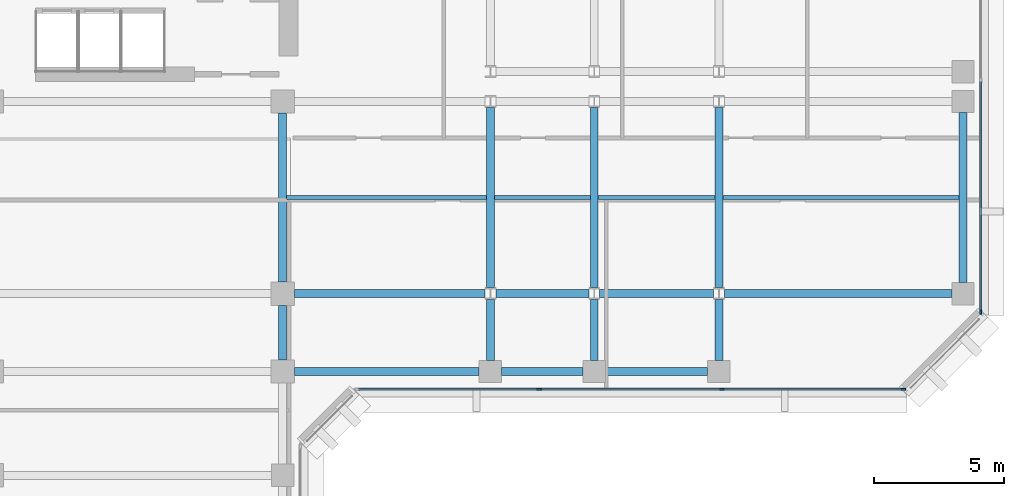
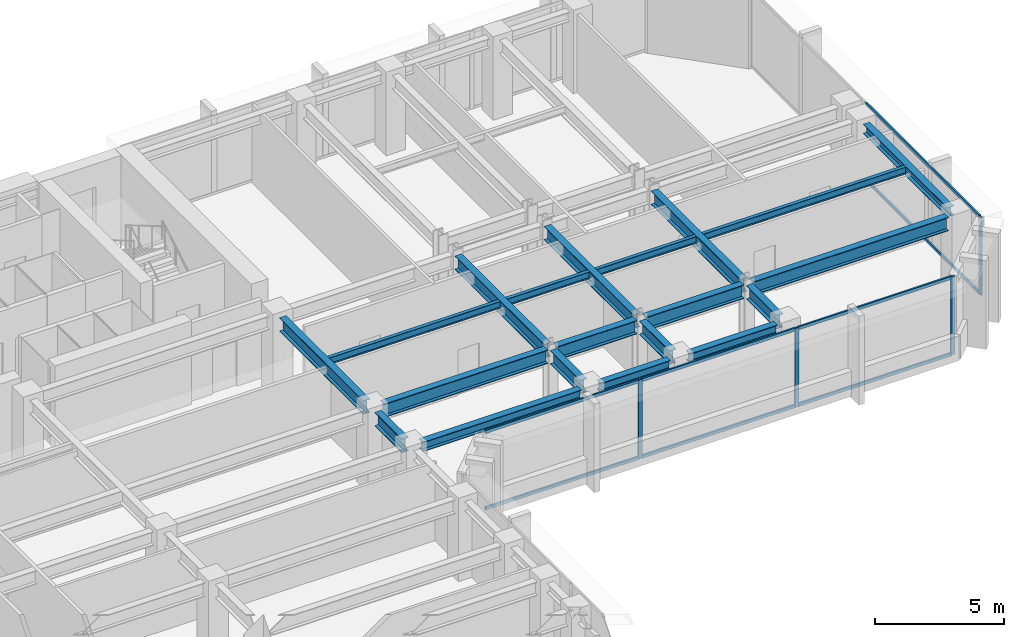
# One storey, part 3 of 11: 20 beams, 12 members, 2 elements without a shape of their own.
"""IFC4 building model written with IfcOpenShell, lengths in metres."""

from ifc_helpers import new_model, si_unit, direction, frame, origin, origin_2d, place, context, subcontext, project, spatial, rectangle, i_section, extrude, material, layer, layer_set, material_profile, profile_set, type_object, element, aggregate, save


model = new_model("IFC4")

# Units and contexts
model_context = context("Model", 3, precision=1e-05, world=origin(), true_north=direction((0.0, 1.0)))
body_context = subcontext(model_context, "Body", "Model", "MODEL_VIEW")
ifc_project = project(units=[si_unit("LENGTHUNIT", "METRE"), si_unit("AREAUNIT", "SQUARE_METRE"), si_unit("VOLUMEUNIT", "CUBIC_METRE"), si_unit("PLANEANGLEUNIT", "RADIAN"), si_unit("MASSUNIT", "GRAM", prefix="KILO")], contexts=[model_context])

# Site, building, storey
site_placement = place(None, origin())
site = spatial("IfcSite", under=ifc_project, at=site_placement, CompositionType="ELEMENT")
building_placement = place(site_placement, origin())
building = spatial("IfcBuilding", under=site, at=building_placement, Name="Kefirva Bronze Tower", CompositionType="ELEMENT")
storey_placement = place(building_placement, frame((0.0, 0.0, 134.969970703125)))
storey = spatial("IfcBuildingStorey", under=building, at=storey_placement, Name="L32", CompositionType="ELEMENT", Elevation=134.969970703125)

# Curtain wall, members
ifc_material_1 = material(Name="Bronze anodised aluminium", Category="aluminium")
ifc_layer = layer(ifc_material_1, 0.199951171875, Name="Bronze anodised aluminium")
ifc_layer_set = layer_set([ifc_layer], Name="Bronze anodised aluminium")
curtain_wall_type = type_object("IfcCurtainWallType", Name="Unitised Bronze Ribbon Curtain Wall Zone 2", PredefinedType="USERDEFINED", material=ifc_layer_set)
curtain_wall_1_placement = place(storey_placement, origin())
curtain_wall_1 = element("IfcCurtainWall", 1, at=curtain_wall_1_placement, inside=storey, type_object=curtain_wall_type, Name="L32 Curtain Wall 3", ObjectType="UNITISED CURTAIN WALL", PredefinedType="USERDEFINED")
ifc_material_profile_1 = material_profile(ifc_material_1, rectangle(XDim=0.074951171875, YDim=0.179931640625, at=origin_2d()), Name="ALU 75x180")
ifc_profile_set_1 = profile_set([ifc_material_profile_1], Name="Bronze anodised aluminium")
member_type_1 = type_object("IfcMemberType", Name="Bronze Mullion 75x180", PredefinedType="MULLION", material=ifc_profile_set_1)
member_1_placement = place(storey_placement, frame((33.0849609375, 22.1201171875, 0.0), z_axis=(0.0, 0.0, 1.0), x_axis=(0.0, 1.0, 0.0)))
member_1 = element("IfcMember", 2, at=member_1_placement, type_object=member_type_1, Name="CW-02 mullion 2", PredefinedType="MULLION", context=body_context, shape_type="SweptSolid", body=[
    extrude(rectangle(XDim=0.074951171875, YDim=0.179931640625, at=origin_2d()), origin(), (0.0, 0.0, 1.0), 3.7099609375),
])
member_2_placement = place(storey_placement, frame((40.114990234375, 22.1201171875, 0.0), z_axis=(0.0, 0.0, 1.0), x_axis=(0.0, 1.0, 0.0)))
member_2 = element("IfcMember", 3, at=member_2_placement, type_object=member_type_1, Name="CW-02 mullion 3", PredefinedType="MULLION", context=body_context, shape_type="SweptSolid", body=[
    extrude(rectangle(XDim=0.074951171875, YDim=0.179931640625, at=origin_2d()), origin(), (0.0, 0.0, 1.0), 3.7099609375),
])
member_3_placement = place(storey_placement, frame((47.107421875, 22.1201171875, 0.0), z_axis=(0.0, 0.0, 1.0), x_axis=(0.0, 1.0, 0.0)))
member_3 = element("IfcMember", 4, at=member_3_placement, type_object=member_type_1, Name="CW-02 mullion 4", PredefinedType="MULLION", context=body_context, shape_type="SweptSolid", body=[
    extrude(rectangle(XDim=0.074951171875, YDim=0.179931640625, at=origin_2d()), origin(), (0.0, 0.0, 1.0), 3.7099609375),
])

# Curtain wall, member
curtain_wall_2_placement = place(storey_placement, origin())
curtain_wall_2 = element("IfcCurtainWall", 5, at=curtain_wall_2_placement, inside=storey, type_object=curtain_wall_type, Name="L32 Curtain Wall 4", ObjectType="UNITISED CURTAIN WALL", PredefinedType="USERDEFINED")
member_4_placement = place(storey_placement, frame((50.080078125, 25.092529296875, 0.0), z_axis=(0.0, 0.0, 1.0), x_axis=(-1.0, 0.0, 0.0)))
member_4 = element("IfcMember", 6, at=member_4_placement, type_object=member_type_1, Name="CW-02 mullion 1", PredefinedType="MULLION", context=body_context, shape_type="SweptSolid", body=[
    extrude(rectangle(XDim=0.074951171875, YDim=0.179931640625, at=origin_2d()), origin(), (0.0, 0.0, 1.0), 3.7099609375),
])

# Member
ifc_material_profile_2 = material_profile(ifc_material_1, rectangle(XDim=0.074951171875, YDim=0.14990234375, at=origin_2d()), Name="ALU 75x150")
ifc_profile_set_2 = profile_set([ifc_material_profile_2], Name="Bronze anodised aluminium")
member_type_2 = type_object("IfcMemberType", Name="Bronze Transom 75x150", PredefinedType="USERDEFINED", material=ifc_profile_set_2)
member_5_placement = place(storey_placement, frame((26.1298828125, 22.1201171875, 0.03759765625), z_axis=(1.0, 0.0, 0.0), x_axis=(0.0, 1.0, 0.0)))
member_5 = element("IfcMember", 7, at=member_5_placement, type_object=member_type_2, Name="CW-02 transom 1.1", ObjectType="TRANSOM", PredefinedType="USERDEFINED", context=body_context, shape_type="SweptSolid", body=[
    extrude(rectangle(XDim=0.074951171875, YDim=0.14990234375, at=origin_2d()), origin(), (0.0, 0.0, 1.0), 6.917724609375),
])

member_6_placement = place(storey_placement, frame((26.1298828125, 22.1201171875, 3.672607421875), z_axis=(1.0, 0.0, 0.0), x_axis=(0.0, 1.0, 0.0)))
member_6 = element("IfcMember", 8, at=member_6_placement, type_object=member_type_2, Name="CW-02 transom 1.2", ObjectType="TRANSOM", PredefinedType="USERDEFINED", context=body_context, shape_type="SweptSolid", body=[
    extrude(rectangle(XDim=0.074951171875, YDim=0.14990234375, at=origin_2d()), origin(), (0.0, 0.0, 1.0), 6.917724609375),
])

member_7_placement = place(storey_placement, frame((33.12255859375, 22.1201171875, 0.03759765625), z_axis=(1.0, 0.0, 0.0), x_axis=(0.0, 1.0, 0.0)))
member_7 = element("IfcMember", 9, at=member_7_placement, type_object=member_type_2, Name="CW-02 transom 2.1", ObjectType="TRANSOM", PredefinedType="USERDEFINED", context=body_context, shape_type="SweptSolid", body=[
    extrude(rectangle(XDim=0.074951171875, YDim=0.14990234375, at=origin_2d()), origin(), (0.0, 0.0, 1.0), 6.954833984375),
])

member_8_placement = place(storey_placement, frame((33.12255859375, 22.1201171875, 3.672607421875), z_axis=(1.0, 0.0, 0.0), x_axis=(0.0, 1.0, 0.0)))
member_8 = element("IfcMember", 10, at=member_8_placement, type_object=member_type_2, Name="CW-02 transom 2.2", ObjectType="TRANSOM", PredefinedType="USERDEFINED", context=body_context, shape_type="SweptSolid", body=[
    extrude(rectangle(XDim=0.074951171875, YDim=0.14990234375, at=origin_2d()), origin(), (0.0, 0.0, 1.0), 6.954833984375),
])

member_9_placement = place(storey_placement, frame((40.152587890625, 22.1201171875, 0.03759765625), z_axis=(1.0, 0.0, 0.0), x_axis=(0.0, 1.0, 0.0)))
member_9 = element("IfcMember", 11, at=member_9_placement, type_object=member_type_2, Name="CW-02 transom 3.1", ObjectType="TRANSOM", PredefinedType="USERDEFINED", context=body_context, shape_type="SweptSolid", body=[
    extrude(rectangle(XDim=0.074951171875, YDim=0.14990234375, at=origin_2d()), origin(), (0.0, 0.0, 1.0), 6.91748046875),
])

member_10_placement = place(storey_placement, frame((40.152587890625, 22.1201171875, 3.672607421875), z_axis=(1.0, 0.0, 0.0), x_axis=(0.0, 1.0, 0.0)))
member_10 = element("IfcMember", 12, at=member_10_placement, type_object=member_type_2, Name="CW-02 transom 3.2", ObjectType="TRANSOM", PredefinedType="USERDEFINED", context=body_context, shape_type="SweptSolid", body=[
    extrude(rectangle(XDim=0.074951171875, YDim=0.14990234375, at=origin_2d()), origin(), (0.0, 0.0, 1.0), 6.91748046875),
])

aggregate(curtain_wall_1, [member_1, member_2, member_3, member_5, member_6, member_7, member_8, member_9, member_10])

member_11_placement = place(storey_placement, frame((50.080078125, 25.1298828125, 0.03759765625), z_axis=(0.0, 1.0, 0.0), x_axis=(-1.0, 0.0, 0.0)))
member_11 = element("IfcMember", 13, at=member_11_placement, type_object=member_type_2, Name="CW-02 transom 1.1", ObjectType="TRANSOM", PredefinedType="USERDEFINED", context=body_context, shape_type="SweptSolid", body=[
    extrude(rectangle(XDim=0.074951171875, YDim=0.14990234375, at=origin_2d()), origin(), (0.0, 0.0, 1.0), 8.83251953125),
])

member_12_placement = place(storey_placement, frame((50.080078125, 25.1298828125, 3.672607421875), z_axis=(0.0, 1.0, 0.0), x_axis=(-1.0, 0.0, 0.0)))
member_12 = element("IfcMember", 14, at=member_12_placement, type_object=member_type_2, Name="CW-02 transom 1.2", ObjectType="TRANSOM", PredefinedType="USERDEFINED", context=body_context, shape_type="SweptSolid", body=[
    extrude(rectangle(XDim=0.074951171875, YDim=0.14990234375, at=origin_2d()), origin(), (0.0, 0.0, 1.0), 8.83251953125),
])

aggregate(curtain_wall_2, [member_4, member_11, member_12])

# Beams
ifc_material_2 = material(Name="Steel S355", Category="steel")
ifc_material_profile_3 = material_profile(ifc_material_2, i_section(OverallWidth=0.159912109375, OverallDepth=0.330078125, WebThickness=0.007568359375, FlangeThickness=0.011474609375, at=origin_2d()), Name="IPE 330")
ifc_profile_set_3 = profile_set([ifc_material_profile_3], Name="Steel S355")
beam_type_1 = type_object("IfcBeamType", Name="Steel Floor Joist IPE 330", PredefinedType="JOIST", material=ifc_profile_set_3)
beam_1_placement = place(storey_placement, frame((23.35009765625, 29.5, 3.544921875), z_axis=(1.0, 0.0, 0.0), x_axis=(0.0, 1.0, 0.0)))
element("IfcBeam", 15, at=beam_1_placement, inside=storey, type_object=beam_type_1, Name="L32 JST-L32-23-295", PredefinedType="JOIST", context=body_context, shape_type="SweptSolid", body=[
    extrude(i_section(OverallWidth=0.159912109375, OverallDepth=0.330078125, WebThickness=0.007568359375, FlangeThickness=0.011474609375, at=origin_2d()), origin(), (0.0, 0.0, 1.0), 7.699951171875),
])
beam_2_placement = place(storey_placement, frame((31.35009765625, 29.5, 3.544921875), z_axis=(1.0, 0.0, 0.0), x_axis=(0.0, 1.0, 0.0)))
element("IfcBeam", 16, at=beam_2_placement, inside=storey, type_object=beam_type_1, Name="L32 JST-L32-31-295", PredefinedType="JOIST", context=body_context, shape_type="SweptSolid", body=[
    extrude(i_section(OverallWidth=0.159912109375, OverallDepth=0.330078125, WebThickness=0.007568359375, FlangeThickness=0.011474609375, at=origin_2d()), origin(), (0.0, 0.0, 1.0), 3.699951171875),
])
beam_3_placement = place(storey_placement, frame((35.35009765625, 29.5, 3.544921875), z_axis=(1.0, 0.0, 0.0), x_axis=(0.0, 1.0, 0.0)))
element("IfcBeam", 17, at=beam_3_placement, inside=storey, type_object=beam_type_1, Name="L32 JST-L32-35-295", PredefinedType="JOIST", context=body_context, shape_type="SweptSolid", body=[
    extrude(i_section(OverallWidth=0.159912109375, OverallDepth=0.330078125, WebThickness=0.007568359375, FlangeThickness=0.011474609375, at=origin_2d()), origin(), (0.0, 0.0, 1.0), 4.5),
])
beam_4_placement = place(storey_placement, frame((40.14990234375, 29.5, 3.544921875), z_axis=(1.0, 0.0, 0.0), x_axis=(0.0, 1.0, 0.0)))
element("IfcBeam", 18, at=beam_4_placement, inside=storey, type_object=beam_type_1, Name="L32 JST-L32-40-295", PredefinedType="JOIST", context=body_context, shape_type="SweptSolid", body=[
    extrude(i_section(OverallWidth=0.159912109375, OverallDepth=0.330078125, WebThickness=0.007568359375, FlangeThickness=0.011474609375, at=origin_2d()), origin(), (0.0, 0.0, 1.0), 9.10009765625),
])
ifc_material_profile_4 = material_profile(ifc_material_2, i_section(OverallWidth=0.300048828125, OverallDepth=0.64990234375, WebThickness=0.01611328125, FlangeThickness=0.031005859375, at=origin_2d()), Name="HEB 650")
ifc_profile_set_4 = profile_set([ifc_material_profile_4], Name="Steel S355")
beam_type_2 = type_object("IfcBeamType", Name="Steel Girder HEB 650", PredefinedType="USERDEFINED", material=ifc_profile_set_4)
beam_5_placement = place(storey_placement, frame((23.64990234375, 25.800048828125, 3.385009765625), z_axis=(1.0, 0.0, 0.0), x_axis=(0.0, 1.0, 0.0)))
element("IfcBeam", 19, at=beam_5_placement, inside=storey, type_object=beam_type_2, Name="L32 BM-L32-EW-23-258", ObjectType="GIRDER", PredefinedType="USERDEFINED", context=body_context, shape_type="SweptSolid", body=[
    extrude(i_section(OverallWidth=0.300048828125, OverallDepth=0.64990234375, WebThickness=0.01611328125, FlangeThickness=0.031005859375, at=origin_2d()), origin(), (0.0, 0.0, 1.0), 7.341064453125),
])
beam_6_placement = place(storey_placement, frame((31.408935546875, 25.800048828125, 3.385009765625), z_axis=(1.0, 0.0, 0.0), x_axis=(0.0, 1.0, 0.0)))
element("IfcBeam", 20, at=beam_6_placement, inside=storey, type_object=beam_type_2, Name="L32 BM-L32-EW-31-258", ObjectType="GIRDER", PredefinedType="USERDEFINED", context=body_context, shape_type="SweptSolid", body=[
    extrude(i_section(OverallWidth=0.300048828125, OverallDepth=0.64990234375, WebThickness=0.01611328125, FlangeThickness=0.031005859375, at=origin_2d()), origin(), (0.0, 0.0, 1.0), 3.58203125),
])
beam_7_placement = place(storey_placement, frame((35.408935546875, 25.800048828125, 3.385009765625), z_axis=(1.0, 0.0, 0.0), x_axis=(0.0, 1.0, 0.0)))
element("IfcBeam", 21, at=beam_7_placement, inside=storey, type_object=beam_type_2, Name="L32 BM-L32-EW-35-258", ObjectType="GIRDER", PredefinedType="USERDEFINED", context=body_context, shape_type="SweptSolid", body=[
    extrude(i_section(OverallWidth=0.300048828125, OverallDepth=0.64990234375, WebThickness=0.01611328125, FlangeThickness=0.031005859375, at=origin_2d()), origin(), (0.0, 0.0, 1.0), 4.382080078125),
])
beam_8_placement = place(storey_placement, frame((40.208984375, 25.800048828125, 3.385009765625), z_axis=(1.0, 0.0, 0.0), x_axis=(0.0, 1.0, 0.0)))
element("IfcBeam", 22, at=beam_8_placement, inside=storey, type_object=beam_type_2, Name="L32 BM-L32-EW-40-258", ObjectType="GIRDER", PredefinedType="USERDEFINED", context=body_context, shape_type="SweptSolid", body=[
    extrude(i_section(OverallWidth=0.300048828125, OverallDepth=0.64990234375, WebThickness=0.01611328125, FlangeThickness=0.031005859375, at=origin_2d()), origin(), (0.0, 0.0, 1.0), 8.760986328125),
])
beam_9_placement = place(storey_placement, frame((23.199951171875, 23.25, 3.385009765625), z_axis=(0.0, 1.0, 0.0), x_axis=(-1.0, 0.0, 0.0)))
element("IfcBeam", 23, at=beam_9_placement, inside=storey, type_object=beam_type_2, Name="L32 BM-L32-NS-232-22", ObjectType="GIRDER", PredefinedType="USERDEFINED", context=body_context, shape_type="SweptSolid", body=[
    extrude(i_section(OverallWidth=0.300048828125, OverallDepth=0.64990234375, WebThickness=0.01611328125, FlangeThickness=0.031005859375, at=origin_2d()), origin(), (0.0, 0.0, 1.0), 2.10009765625),
])
beam_10_placement = place(storey_placement, frame((23.199951171875, 26.25, 3.385009765625), z_axis=(0.0, 1.0, 0.0), x_axis=(-1.0, 0.0, 0.0)))
element("IfcBeam", 24, at=beam_10_placement, inside=storey, type_object=beam_type_2, Name="L32 BM-L32-NS-232-25", ObjectType="GIRDER", PredefinedType="USERDEFINED", context=body_context, shape_type="SweptSolid", body=[
    extrude(i_section(OverallWidth=0.300048828125, OverallDepth=0.64990234375, WebThickness=0.01611328125, FlangeThickness=0.031005859375, at=origin_2d()), origin(), (0.0, 0.0, 1.0), 6.5),
])
beam_11_placement = place(storey_placement, frame((31.199951171875, 23.22998046875, 3.385009765625), z_axis=(0.0, 1.0, 0.0), x_axis=(-1.0, 0.0, 0.0)))
element("IfcBeam", 25, at=beam_11_placement, inside=storey, type_object=beam_type_2, Name="L32 BM-L32-NS-312-22", ObjectType="GIRDER", PredefinedType="USERDEFINED", context=body_context, shape_type="SweptSolid", body=[
    extrude(i_section(OverallWidth=0.300048828125, OverallDepth=0.64990234375, WebThickness=0.01611328125, FlangeThickness=0.031005859375, at=origin_2d()), origin(), (0.0, 0.0, 1.0), 2.342529296875),
])
beam_12_placement = place(storey_placement, frame((31.199951171875, 26.027587890625, 3.385009765625), z_axis=(0.0, 1.0, 0.0), x_axis=(-1.0, 0.0, 0.0)))
element("IfcBeam", 26, at=beam_12_placement, inside=storey, type_object=beam_type_2, Name="L32 BM-L32-NS-312-25", ObjectType="GIRDER", PredefinedType="USERDEFINED", context=body_context, shape_type="SweptSolid", body=[
    extrude(i_section(OverallWidth=0.300048828125, OverallDepth=0.64990234375, WebThickness=0.01611328125, FlangeThickness=0.031005859375, at=origin_2d()), origin(), (0.0, 0.0, 1.0), 6.94482421875),
])
beam_13_placement = place(storey_placement, frame((35.199951171875, 23.22998046875, 3.385009765625), z_axis=(0.0, 1.0, 0.0), x_axis=(-1.0, 0.0, 0.0)))
element("IfcBeam", 27, at=beam_13_placement, inside=storey, type_object=beam_type_2, Name="L32 BM-L32-NS-352-22", ObjectType="GIRDER", PredefinedType="USERDEFINED", context=body_context, shape_type="SweptSolid", body=[
    extrude(i_section(OverallWidth=0.300048828125, OverallDepth=0.64990234375, WebThickness=0.01611328125, FlangeThickness=0.031005859375, at=origin_2d()), origin(), (0.0, 0.0, 1.0), 2.342529296875),
])
beam_14_placement = place(storey_placement, frame((35.199951171875, 26.027587890625, 3.385009765625), z_axis=(0.0, 1.0, 0.0), x_axis=(-1.0, 0.0, 0.0)))
element("IfcBeam", 28, at=beam_14_placement, inside=storey, type_object=beam_type_2, Name="L32 BM-L32-NS-352-25", ObjectType="GIRDER", PredefinedType="USERDEFINED", context=body_context, shape_type="SweptSolid", body=[
    extrude(i_section(OverallWidth=0.300048828125, OverallDepth=0.64990234375, WebThickness=0.01611328125, FlangeThickness=0.031005859375, at=origin_2d()), origin(), (0.0, 0.0, 1.0), 6.94482421875),
])
beam_15_placement = place(storey_placement, frame((40.0, 23.22998046875, 3.385009765625), z_axis=(0.0, 1.0, 0.0), x_axis=(-1.0, 0.0, 0.0)))
element("IfcBeam", 29, at=beam_15_placement, inside=storey, type_object=beam_type_2, Name="L32 BM-L32-NS-400-22", ObjectType="GIRDER", PredefinedType="USERDEFINED", context=body_context, shape_type="SweptSolid", body=[
    extrude(i_section(OverallWidth=0.300048828125, OverallDepth=0.64990234375, WebThickness=0.01611328125, FlangeThickness=0.031005859375, at=origin_2d()), origin(), (0.0, 0.0, 1.0), 2.342529296875),
])
beam_16_placement = place(storey_placement, frame((40.0, 26.027587890625, 3.385009765625), z_axis=(0.0, 1.0, 0.0), x_axis=(-1.0, 0.0, 0.0)))
element("IfcBeam", 30, at=beam_16_placement, inside=storey, type_object=beam_type_2, Name="L32 BM-L32-NS-400-25", ObjectType="GIRDER", PredefinedType="USERDEFINED", context=body_context, shape_type="SweptSolid", body=[
    extrude(i_section(OverallWidth=0.300048828125, OverallDepth=0.64990234375, WebThickness=0.01611328125, FlangeThickness=0.031005859375, at=origin_2d()), origin(), (0.0, 0.0, 1.0), 6.94482421875),
])
ifc_material_profile_5 = material_profile(ifc_material_2, i_section(OverallWidth=0.300048828125, OverallDepth=0.449951171875, WebThickness=0.013916015625, FlangeThickness=0.02587890625, at=origin_2d()), Name="HEB 450")
ifc_profile_set_5 = profile_set([ifc_material_profile_5], Name="Steel S355")
beam_type_3 = type_object("IfcBeamType", Name="Steel Spandrel HEB 450 Ext", PredefinedType="SPANDREL", material=ifc_profile_set_5)
beam_17_placement = place(storey_placement, frame((23.64990234375, 22.800048828125, 3.485107421875), z_axis=(1.0, 0.0, 0.0), x_axis=(0.0, 1.0, 0.0)))
element("IfcBeam", 31, at=beam_17_placement, inside=storey, type_object=beam_type_3, Name="L32 BM-L32-EW-23-228", PredefinedType="SPANDREL", context=body_context, shape_type="SweptSolid", body=[
    extrude(i_section(OverallWidth=0.300048828125, OverallDepth=0.449951171875, WebThickness=0.013916015625, FlangeThickness=0.02587890625, at=origin_2d()), origin(), (0.0, 0.0, 1.0), 7.1201171875),
])
beam_18_placement = place(storey_placement, frame((31.6298828125, 22.800048828125, 3.485107421875), z_axis=(1.0, 0.0, 0.0), x_axis=(0.0, 1.0, 0.0)))
element("IfcBeam", 32, at=beam_18_placement, inside=storey, type_object=beam_type_3, Name="L32 BM-L32-EW-31-228", PredefinedType="SPANDREL", context=body_context, shape_type="SweptSolid", body=[
    extrude(i_section(OverallWidth=0.300048828125, OverallDepth=0.449951171875, WebThickness=0.013916015625, FlangeThickness=0.02587890625, at=origin_2d()), origin(), (0.0, 0.0, 1.0), 3.14013671875),
])
beam_19_placement = place(storey_placement, frame((35.6298828125, 22.800048828125, 3.485107421875), z_axis=(1.0, 0.0, 0.0), x_axis=(0.0, 1.0, 0.0)))
element("IfcBeam", 33, at=beam_19_placement, inside=storey, type_object=beam_type_3, Name="L32 BM-L32-EW-35-228", PredefinedType="SPANDREL", context=body_context, shape_type="SweptSolid", body=[
    extrude(i_section(OverallWidth=0.300048828125, OverallDepth=0.449951171875, WebThickness=0.013916015625, FlangeThickness=0.02587890625, at=origin_2d()), origin(), (0.0, 0.0, 1.0), 3.940185546875),
])
beam_20_placement = place(storey_placement, frame((49.39990234375, 26.22998046875, 3.485107421875), z_axis=(0.0, 1.0, 0.0), x_axis=(-1.0, 0.0, 0.0)))
element("IfcBeam", 34, at=beam_20_placement, inside=storey, type_object=beam_type_3, Name="L32 BM-L32-NS-494-25", PredefinedType="SPANDREL", context=body_context, shape_type="SweptSolid", body=[
    extrude(i_section(OverallWidth=0.300048828125, OverallDepth=0.449951171875, WebThickness=0.013916015625, FlangeThickness=0.02587890625, at=origin_2d()), origin(), (0.0, 0.0, 1.0), 6.5400390625),
])

save(model, "model.ifc")
